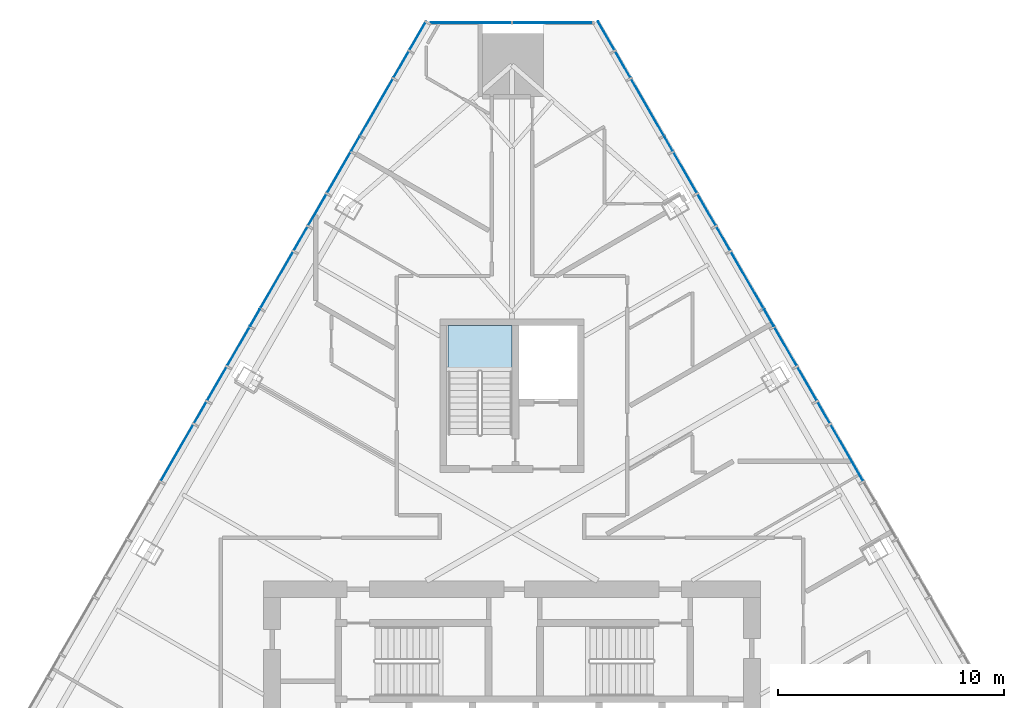
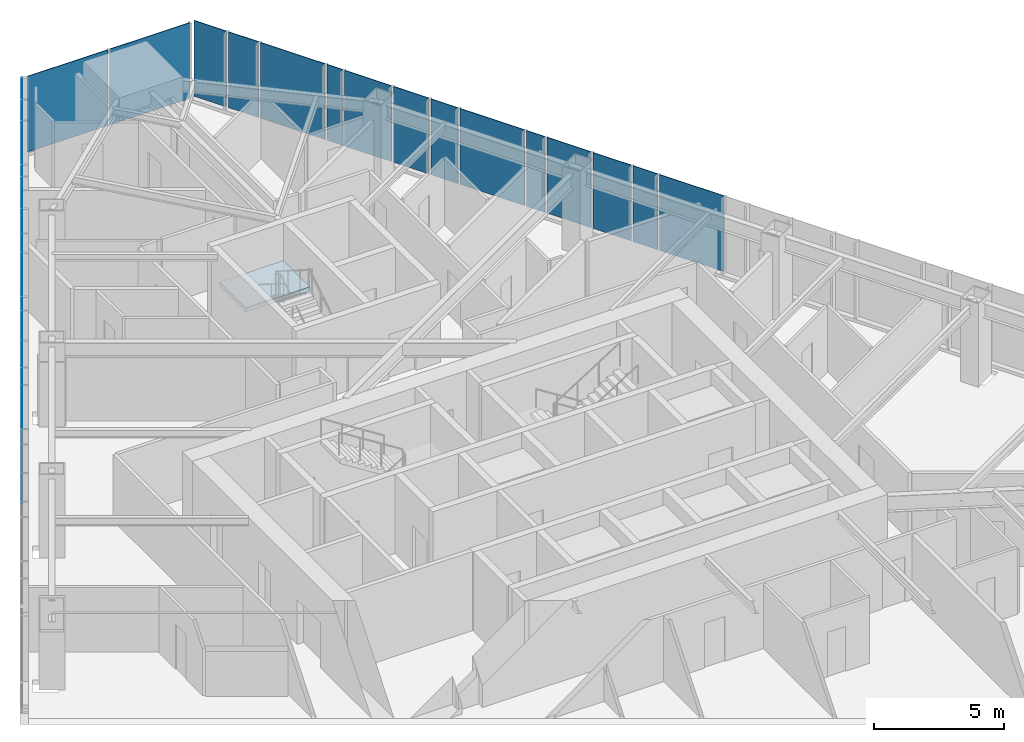
# One storey, part 12 of 19: 29 plates, 1 slab, 4 elements without a shape of their own.
"""IFC4 building model written with IfcOpenShell, lengths in metres."""

from ifc_helpers import new_model, si_unit, direction, frame, origin, place, context, subcontext, project, spatial, polyline, outline, extrude, material, layer, layer_set, type_object, element, aggregate, save


model = new_model("IFC4")

# Units and contexts
model_context = context("Model", 3, precision=1e-05, world=origin(), true_north=direction((0.0, 1.0)))
body_context = subcontext(model_context, "Body", "Model", "MODEL_VIEW")
ifc_project = project(units=[si_unit("LENGTHUNIT", "METRE"), si_unit("AREAUNIT", "SQUARE_METRE"), si_unit("VOLUMEUNIT", "CUBIC_METRE"), si_unit("PLANEANGLEUNIT", "RADIAN"), si_unit("MASSUNIT", "GRAM", prefix="KILO")], contexts=[model_context])

# Site, building, storey
site_placement = place(None, origin())
site = spatial("IfcSite", under=ifc_project, at=site_placement, CompositionType="ELEMENT")
building_placement = place(site_placement, origin())
building = spatial("IfcBuilding", under=site, at=building_placement, Name="Firuza Gate Tower and Library", CompositionType="ELEMENT")
storey_placement = place(building_placement, frame((0.0, 0.0, 179.199951171875)))
storey = spatial("IfcBuildingStorey", under=building, at=storey_placement, Name="L41", CompositionType="ELEMENT", Elevation=179.199951171875)

# Curtain wall, plates
ifc_material_1 = material(Name="Aluminium 6063-T6", Category="aluminium")
ifc_layer_1 = layer(ifc_material_1, 0.14990234375)
ifc_layer_set_1 = layer_set([ifc_layer_1], Name="Corner curtain wall, chamfers")
curtain_wall_type_1 = type_object("IfcCurtainWallType", Name="Corner curtain wall, chamfers", PredefinedType="NOTDEFINED", material=ifc_layer_set_1)
placement = place(storey_placement, origin())
curtain_wall_1 = element("IfcCurtainWall", 1, at=placement, inside=storey, type_object=curtain_wall_type_1, Name="CW4 L41 N corner", PredefinedType="NOTDEFINED")
ifc_material_2 = material(Name="Fritted glass", Category="glass")
ifc_layer_2 = layer(ifc_material_2, 0.030029296875)
ifc_layer_set_2 = layer_set([ifc_layer_2], Name="Fritted glass unit, corners")
plate_type_1 = type_object("IfcPlateType", Name="Fritted glass unit, corners", PredefinedType="CURTAIN_PANEL", material=ifc_layer_set_2)
plate_1_placement = place(storey_placement, frame((78.603271484375, 107.735107421875, 0.150146484375), z_axis=(0.0, 1.0, 0.0), x_axis=(-1.0, 0.0, 0.0)))
plate_1 = element("IfcPlate", 2, at=plate_1_placement, type_object=plate_type_1, Name="Glass unit", PredefinedType="CURTAIN_PANEL", context=body_context, shape_type="SweptSolid", body=[
    extrude(outline(polyline([(0.0, 0.0), (3.563232421875, 0.0), (3.563232421875, 3.5498046875), (0.0, 3.5498046875), (0.0, 0.0)])), origin(), (0.0, 0.0, -1.0), 0.030029296875),
])
plate_2_placement = place(storey_placement, frame((74.9599609375, 107.735107421875, 0.150146484375), z_axis=(0.0, 1.0, 0.0), x_axis=(-1.0, 0.0, 0.0)))
plate_2 = element("IfcPlate", 3, at=plate_2_placement, type_object=plate_type_1, Name="Glass unit", PredefinedType="CURTAIN_PANEL", context=body_context, shape_type="SweptSolid", body=[
    extrude(outline(polyline([(0.0, 0.0), (3.563232421875, 0.0), (3.563232421875, 3.5498046875), (0.0, 3.5498046875), (0.0, 0.0)])), origin(), (0.0, 0.0, -1.0), 0.030029296875),
])
aggregate(curtain_wall_1, [plate_1, plate_2])

ifc_material_3 = material(Name="Aluminium 6063-T6", Category="aluminium")
ifc_layer_3 = layer(ifc_material_3, 0.14990234375)
ifc_layer_set_3 = layer_set([ifc_layer_3], Name="Unitised curtain wall, hotel")
curtain_wall_type_2 = type_object("IfcCurtainWallType", Name="Unitised curtain wall, hotel", PredefinedType="NOTDEFINED", material=ifc_layer_set_3)
curtain_wall_2 = element("IfcCurtainWall", 4, at=placement, inside=storey, type_object=curtain_wall_type_2, Name="CW2 L41 E face", PredefinedType="NOTDEFINED")
ifc_material_4 = material(Name="Fritted glass", Category="glass")
ifc_layer_4 = layer(ifc_material_4, 0.030029296875)
ifc_layer_set_4 = layer_set([ifc_layer_4], Name="Fritted glass unit, hotel")
plate_type_2 = type_object("IfcPlateType", Name="Fritted glass unit, hotel", PredefinedType="CURTAIN_PANEL", material=ifc_layer_set_4)
plate_3_placement = place(storey_placement, frame((88.513427734375, 90.994873046875, 0.150146484375), z_axis=(0.866011310981, 0.500024408658, 0.0), x_axis=(-0.500024408658, 0.866011310981, 0.0)))
plate_3 = element("IfcPlate", 5, at=plate_3_placement, type_object=plate_type_2, Name="Glass unit", PredefinedType="CURTAIN_PANEL", context=body_context, shape_type="SweptSolid", body=[
    extrude(outline(polyline([(0.0, 0.0), (1.703041862068479, 0.0), (1.703041862068479, 3.5498046875), (0.0, 3.5498046875), (0.0, 0.0)])), origin(), (0.0, 0.0, -1.0), 0.030029296875),
])
plate_4_placement = place(storey_placement, frame((87.621826171875, 92.5390625, 0.150146484375), z_axis=(0.866031321059, 0.49998975084, 0.0), x_axis=(-0.49998975084, 0.866031321059, 0.0)))
plate_4 = element("IfcPlate", 6, at=plate_4_placement, type_object=plate_type_2, Name="Glass unit", PredefinedType="CURTAIN_PANEL", context=body_context, shape_type="SweptSolid", body=[
    extrude(outline(polyline([(0.0, 0.0), (1.9502352890478898, 0.0), (1.9502352890478898, 3.5498046875), (0.0, 3.5498046875), (0.0, 0.0)])), origin(), (0.0, 0.0, -1.0), 0.030029296875),
])
plate_5_placement = place(storey_placement, frame((84.032470703125, 98.756103515625, 0.150146484375), z_axis=(0.86597962928, 0.500079275388, 0.0), x_axis=(-0.500079275388, 0.86597962928, 0.0)))
plate_5 = element("IfcPlate", 7, at=plate_5_placement, type_object=plate_type_2, Name="Glass unit", PredefinedType="CURTAIN_PANEL", context=body_context, shape_type="SweptSolid", body=[
    extrude(outline(polyline([(0.0, 0.0), (1.579339438258076, 0.0), (1.579339438258076, 3.549804687500001), (0.0, 3.549804687500001), (0.0, 0.0)])), origin(), (0.0, 0.0, -1.0), 0.030029296875),
])
plate_6_placement = place(storey_placement, frame((83.20263671875, 100.193115234375, 0.150146484375), z_axis=(0.866054249832, 0.499950033851, 0.0), x_axis=(-0.499950033851, 0.866054249832, 0.0)))
plate_6 = element("IfcPlate", 8, at=plate_6_placement, type_object=plate_type_2, Name="Glass unit", PredefinedType="CURTAIN_PANEL", context=body_context, shape_type="SweptSolid", body=[
    extrude(outline(polyline([(0.0, 0.0), (2.073937722114395, 0.0), (2.073937722114395, 3.5498046875), (0.0, 3.5498046875), (0.0, 0.0)])), origin(), (0.0, 0.0, -1.0), 0.030029296875),
])
plate_7_placement = place(storey_placement, frame((79.551513671875, 106.517333984375, 0.150146484375), z_axis=(0.865984503571, 0.500070834557, 0.0), x_axis=(-0.500070834557, 0.865984503571, 0.0)))
plate_7 = element("IfcPlate", 9, at=plate_7_placement, type_object=plate_type_2, Name="Glass unit", PredefinedType="CURTAIN_PANEL", context=body_context, shape_type="SweptSolid", body=[
    extrude(outline(polyline([(0.0, 0.0), (1.4558484387428403, 0.0), (1.4558484387428403, 3.5498046875), (0.0, 3.5498046875), (0.0, 0.0)])), origin(), (0.0, 0.0, -1.0), 0.030029296875),
])

curtain_wall_3 = element("IfcCurtainWall", 10, at=placement, inside=storey, type_object=curtain_wall_type_2, Name="CW2 L41 W face", PredefinedType="NOTDEFINED")
plate_8_placement = place(storey_placement, frame((71.176513671875, 107.778076171875, 0.150146484375), z_axis=(-0.865984503571, 0.500070834557, 0.0), x_axis=(-0.500070834557, -0.865984503571, 0.0)))
plate_8 = element("IfcPlate", 11, at=plate_8_placement, type_object=plate_type_2, Name="Glass unit", PredefinedType="CURTAIN_PANEL", context=body_context, shape_type="SweptSolid", body=[
    extrude(outline(polyline([(0.0, 0.0), (1.4558484387428403, 0.0), (1.4558484387428403, 3.5498046875), (0.0, 3.5498046875), (0.0, 0.0)])), origin(), (0.0, 0.0, -1.0), 0.030029296875),
])
plate_9_placement = place(storey_placement, frame((68.23046875, 102.67529296875, 0.150146484375), z_axis=(-0.866022459948, 0.500005098839, 0.0), x_axis=(-0.500005098839, -0.866022459948, 0.0)))
plate_9 = element("IfcPlate", 12, at=plate_9_placement, type_object=plate_type_2, Name="Glass unit", PredefinedType="CURTAIN_PANEL", context=body_context, shape_type="SweptSolid", body=[
    extrude(outline(polyline([(0.0, 0.0), (2.8661817091015296, 0.0), (2.8661817091015296, 1.73486328125), (0.0, 1.73486328125), (0.0, 0.0)])), origin(), (0.0, 0.0, -1.0), 0.030029296875),
])
plate_10_placement = place(storey_placement, frame((67.834228515625, 101.9892578125, 1.965087890625), z_axis=(-0.866054249832, 0.499950033851, 0.0), x_axis=(-0.499950033851, -0.866054249832, 0.0)))
plate_10 = element("IfcPlate", 13, at=plate_10_placement, type_object=plate_type_2, Name="Glass unit", PredefinedType="CURTAIN_PANEL", context=body_context, shape_type="SweptSolid", body=[
    extrude(outline(polyline([(0.0, 0.0), (2.073937722114395, 0.0), (2.073937722114395, 1.73486328125), (0.0, 1.73486328125), (0.0, 0.0)])), origin(), (0.0, 0.0, -1.0), 0.030029296875),
])
plate_11_placement = place(storey_placement, frame((66.75732421875, 100.123779296875, 0.150146484375), z_axis=(-0.86597962928, 0.500079275388, 0.0), x_axis=(-0.500079275388, -0.86597962928, 0.0)))
plate_11 = element("IfcPlate", 14, at=plate_11_placement, type_object=plate_type_2, Name="Glass unit", PredefinedType="CURTAIN_PANEL", context=body_context, shape_type="SweptSolid", body=[
    extrude(outline(polyline([(0.0, 0.0), (1.579339438258076, 0.0), (1.579339438258076, 3.549804687500001), (0.0, 3.549804687500001), (0.0, 0.0)])), origin(), (0.0, 0.0, -1.0), 0.030029296875),
])
plate_12_placement = place(storey_placement, frame((63.353271484375, 94.22802734375, 0.150146484375), z_axis=(-0.866031321059, 0.49998975084, 0.0), x_axis=(-0.49998975084, -0.866031321059, 0.0)))
plate_12 = element("IfcPlate", 15, at=plate_12_placement, type_object=plate_type_2, Name="Glass unit", PredefinedType="CURTAIN_PANEL", context=body_context, shape_type="SweptSolid", body=[
    extrude(outline(polyline([(0.0, 0.0), (1.9502352890478898, 0.0), (1.9502352890478898, 3.5498046875), (0.0, 3.5498046875), (0.0, 0.0)])), origin(), (0.0, 0.0, -1.0), 0.030029296875),
])
plate_13_placement = place(storey_placement, frame((62.338134765625, 92.4697265625, 0.150146484375), z_axis=(-0.866011310981, 0.500024408658, 0.0), x_axis=(-0.500024408658, -0.866011310981, 0.0)))
plate_13 = element("IfcPlate", 16, at=plate_13_placement, type_object=plate_type_2, Name="Glass unit", PredefinedType="CURTAIN_PANEL", context=body_context, shape_type="SweptSolid", body=[
    extrude(outline(polyline([(0.0, 0.0), (1.703041862068479, 0.0), (1.703041862068479, 3.5498046875), (0.0, 3.5498046875), (0.0, 0.0)])), origin(), (0.0, 0.0, -1.0), 0.030029296875),
])

# Plate
ifc_material_5 = material(Name="Glazed ceramic tile")
ifc_layer_5 = layer(ifc_material_5, 0.030029296875)
ifc_layer_set_5 = layer_set([ifc_layer_5], Name="Opaque ceramic panel, hotel")
plate_type_3 = type_object("IfcPlateType", Name="Opaque ceramic panel, hotel", PredefinedType="CURTAIN_PANEL", material=ifc_layer_set_5)
plate_14_placement = place(storey_placement, frame((90.56787109375, 87.436279296875, 0.150146484375), z_axis=(0.866001162221, 0.500041985268, 0.0), x_axis=(-0.500041985268, 0.866001162221, 0.0)))
plate_14 = element("IfcPlate", 17, at=plate_14_placement, type_object=plate_type_3, Name="Opaque ceramic panel", PredefinedType="CURTAIN_PANEL", context=body_context, shape_type="SweptSolid", body=[
    extrude(outline(polyline([(0.0, 0.0), (2.865970280436618, 0.0), (2.865970280436618, 3.5498046875), (0.0, 3.5498046875), (0.0, 0.0)])), origin(), (0.0, 0.0, -1.0), 0.030029296875),
])

plate_15_placement = place(storey_placement, frame((89.094970703125, 89.987548828125, 0.150146484375), z_axis=(0.86604294664, 0.499969613651, 0.0), x_axis=(-0.499969613651, 0.86604294664, 0.0)))
plate_15 = element("IfcPlate", 18, at=plate_15_placement, type_object=plate_type_3, Name="Opaque ceramic panel", PredefinedType="CURTAIN_PANEL", context=body_context, shape_type="SweptSolid", body=[
    extrude(outline(polyline([(0.0, 0.0), (1.0830736338062792, 0.0), (1.0830736338062792, 3.5498046875), (0.0, 3.5498046875), (0.0, 0.0)])), origin(), (0.0, 0.0, -1.0), 0.030029296875),
])

plate_16_placement = place(storey_placement, frame((86.606689453125, 94.29736328125, 0.150146484375), z_axis=(0.865932559475, 0.500160776593, 0.0), x_axis=(-0.500160776593, 0.865932559475, 0.0)))
plate_16 = element("IfcPlate", 19, at=plate_16_placement, type_object=plate_type_3, Name="Opaque ceramic panel", PredefinedType="CURTAIN_PANEL", context=body_context, shape_type="SweptSolid", body=[
    extrude(outline(polyline([(0.0, 0.0), (0.8356687880393899, 0.0), (0.8356687880393899, 3.5498046875), (0.0, 3.5498046875), (0.0, 0.0)])), origin(), (0.0, 0.0, -1.0), 0.030029296875),
])

plate_17_placement = place(storey_placement, frame((86.148681640625, 95.09033203125, 0.150146484375), z_axis=(0.866059343325, 0.499941210384, 0.0), x_axis=(-0.499941210384, 0.866059343325, 0.0)))
plate_17 = element("IfcPlate", 20, at=plate_17_placement, type_object=plate_type_3, Name="Opaque ceramic panel", PredefinedType="CURTAIN_PANEL", context=body_context, shape_type="SweptSolid", body=[
    extrude(outline(polyline([(0.0, 0.0), (2.8660596453429132, 0.0), (2.8660596453429132, 3.5498046875), (0.0, 3.5498046875), (0.0, 0.0)])), origin(), (0.0, 0.0, -1.0), 0.030029296875),
])

plate_18_placement = place(storey_placement, frame((84.67578125, 97.641845703125, 0.150146484375), z_axis=(0.866030586491, 0.499991023182, 0.0), x_axis=(-0.499991023182, 0.866030586491, 0.0)))
plate_18 = element("IfcPlate", 21, at=plate_18_placement, type_object=plate_type_3, Name="Opaque ceramic panel", PredefinedType="CURTAIN_PANEL", context=body_context, shape_type="SweptSolid", body=[
    extrude(outline(polyline([(0.0, 0.0), (1.2065646309723868, 0.0), (1.2065646309723868, 3.5498046875), (0.0, 3.5498046875), (0.0, 0.0)])), origin(), (0.0, 0.0, -1.0), 0.030029296875),
])

plate_19_placement = place(storey_placement, frame((82.125732421875, 102.05859375, 0.150146484375), z_axis=(0.865934362776, 0.500157654509, 0.0), x_axis=(-0.500157654509, 0.865934362776, 0.0)))
plate_19 = element("IfcPlate", 22, at=plate_19_placement, type_object=plate_type_3, Name="Opaque ceramic panel", PredefinedType="CURTAIN_PANEL", context=body_context, shape_type="SweptSolid", body=[
    extrude(outline(polyline([(0.0, 0.0), (0.7121777876710167, 0.0), (0.7121777876710167, 3.5498046875), (0.0, 3.5498046875), (0.0, 0.0)])), origin(), (0.0, 0.0, -1.0), 0.030029296875),
])

plate_20_placement = place(storey_placement, frame((81.7294921875, 102.74462890625, 0.150146484375), z_axis=(0.866038050133, 0.499978095242, 0.0), x_axis=(-0.499978095242, 0.866038050133, 0.0)))
plate_20 = element("IfcPlate", 23, at=plate_20_placement, type_object=plate_type_3, Name="Opaque ceramic panel", PredefinedType="CURTAIN_PANEL", context=body_context, shape_type="SweptSolid", body=[
    extrude(outline(polyline([(0.0, 0.0), (2.865848207672718, 0.0), (2.865848207672718, 3.5498046875), (0.0, 3.5498046875), (0.0, 0.0)])), origin(), (0.0, 0.0, -1.0), 0.030029296875),
])

plate_21_placement = place(storey_placement, frame((80.256591796875, 105.2958984375, 0.150146484375), z_axis=(0.865986935059, 0.500066623869, 0.0), x_axis=(-0.500066623869, 0.865986935059, 0.0)))
plate_21 = element("IfcPlate", 24, at=plate_21_placement, type_object=plate_type_3, Name="Opaque ceramic panel", PredefinedType="CURTAIN_PANEL", context=body_context, shape_type="SweptSolid", body=[
    extrude(outline(polyline([(0.0, 0.0), (1.3303891349083876, 0.0), (1.3303891349083876, 3.549804687500001), (0.0, 3.549804687500001), (0.0, 0.0)])), origin(), (0.0, 0.0, -1.0), 0.030029296875),
])

aggregate(curtain_wall_2, [plate_14, plate_15, plate_3, plate_4, plate_16, plate_17, plate_18, plate_5, plate_6, plate_19, plate_20, plate_21, plate_7])

plate_22_placement = place(storey_placement, frame((70.40869140625, 106.447998046875, 0.150146484375), z_axis=(-0.865986935059, 0.500066623869, 0.0), x_axis=(-0.500066623869, -0.865986935059, 0.0)))
plate_22 = element("IfcPlate", 25, at=plate_22_placement, type_object=plate_type_3, Name="Opaque ceramic panel", PredefinedType="CURTAIN_PANEL", context=body_context, shape_type="SweptSolid", body=[
    extrude(outline(polyline([(0.0, 0.0), (1.3303891349083876, 0.0), (1.3303891349083876, 3.549804687500001), (0.0, 3.549804687500001), (0.0, 0.0)])), origin(), (0.0, 0.0, -1.0), 0.030029296875),
])

plate_23_placement = place(storey_placement, frame((69.703369140625, 105.2265625, 0.150146484375), z_axis=(-0.866038050133, 0.499978095242, 0.0), x_axis=(-0.499978095242, -0.866038050133, 0.0)))
plate_23 = element("IfcPlate", 26, at=plate_23_placement, type_object=plate_type_3, Name="Opaque ceramic panel", PredefinedType="CURTAIN_PANEL", context=body_context, shape_type="SweptSolid", body=[
    extrude(outline(polyline([(0.0, 0.0), (2.865848207672718, 0.0), (2.865848207672718, 3.5498046875), (0.0, 3.5498046875), (0.0, 0.0)])), origin(), (0.0, 0.0, -1.0), 0.030029296875),
])

plate_24_placement = place(storey_placement, frame((68.23046875, 102.67529296875, 1.965087890625), z_axis=(-0.865934362776, 0.500157654509, 0.0), x_axis=(-0.500157654509, -0.865934362776, 0.0)))
plate_24 = element("IfcPlate", 27, at=plate_24_placement, type_object=plate_type_3, Name="Opaque ceramic panel", PredefinedType="CURTAIN_PANEL", context=body_context, shape_type="SweptSolid", body=[
    extrude(outline(polyline([(0.0, 0.0), (0.7121777876710167, 0.0), (0.7121777876710167, 1.73486328125), (0.0, 1.73486328125), (0.0, 0.0)])), origin(), (0.0, 0.0, -1.0), 0.030029296875),
])

plate_25_placement = place(storey_placement, frame((65.927490234375, 98.686767578125, 0.150146484375), z_axis=(-0.866030586491, 0.499991023182, 0.0), x_axis=(-0.499991023182, -0.866030586491, 0.0)))
plate_25 = element("IfcPlate", 28, at=plate_25_placement, type_object=plate_type_3, Name="Opaque ceramic panel", PredefinedType="CURTAIN_PANEL", context=body_context, shape_type="SweptSolid", body=[
    extrude(outline(polyline([(0.0, 0.0), (1.2065646309723868, 0.0), (1.2065646309723868, 3.5498046875), (0.0, 3.5498046875), (0.0, 0.0)])), origin(), (0.0, 0.0, -1.0), 0.030029296875),
])

plate_26_placement = place(storey_placement, frame((65.2841796875, 97.572509765625, 0.150146484375), z_axis=(-0.866059343325, 0.499941210384, 0.0), x_axis=(-0.499941210384, -0.866059343325, 0.0)))
plate_26 = element("IfcPlate", 29, at=plate_26_placement, type_object=plate_type_3, Name="Opaque ceramic panel", PredefinedType="CURTAIN_PANEL", context=body_context, shape_type="SweptSolid", body=[
    extrude(outline(polyline([(0.0, 0.0), (2.8660596453429132, 0.0), (2.8660596453429132, 3.5498046875), (0.0, 3.5498046875), (0.0, 0.0)])), origin(), (0.0, 0.0, -1.0), 0.030029296875),
])

plate_27_placement = place(storey_placement, frame((63.811279296875, 95.02099609375, 0.150146484375), z_axis=(-0.865932559475, 0.500160776593, 0.0), x_axis=(-0.500160776593, -0.865932559475, 0.0)))
plate_27 = element("IfcPlate", 30, at=plate_27_placement, type_object=plate_type_3, Name="Opaque ceramic panel", PredefinedType="CURTAIN_PANEL", context=body_context, shape_type="SweptSolid", body=[
    extrude(outline(polyline([(0.0, 0.0), (0.8356687880393899, 0.0), (0.8356687880393899, 3.5498046875), (0.0, 3.5498046875), (0.0, 0.0)])), origin(), (0.0, 0.0, -1.0), 0.030029296875),
])

plate_28_placement = place(storey_placement, frame((61.446533203125, 90.925537109375, 0.150146484375), z_axis=(-0.86604294664, 0.499969613651, 0.0), x_axis=(-0.499969613651, -0.86604294664, 0.0)))
plate_28 = element("IfcPlate", 31, at=plate_28_placement, type_object=plate_type_3, Name="Opaque ceramic panel", PredefinedType="CURTAIN_PANEL", context=body_context, shape_type="SweptSolid", body=[
    extrude(outline(polyline([(0.0, 0.0), (1.0830736338062792, 0.0), (1.0830736338062792, 3.5498046875), (0.0, 3.5498046875), (0.0, 0.0)])), origin(), (0.0, 0.0, -1.0), 0.030029296875),
])

plate_29_placement = place(storey_placement, frame((60.865234375, 89.918212890625, 0.150146484375), z_axis=(-0.866001162221, 0.500041985268, 0.0), x_axis=(-0.500041985268, -0.866001162221, 0.0)))
plate_29 = element("IfcPlate", 32, at=plate_29_placement, type_object=plate_type_3, Name="Opaque ceramic panel", PredefinedType="CURTAIN_PANEL", context=body_context, shape_type="SweptSolid", body=[
    extrude(outline(polyline([(0.0, 0.0), (2.865970280436618, 0.0), (2.865970280436618, 3.5498046875), (0.0, 3.5498046875), (0.0, 0.0)])), origin(), (0.0, 0.0, -1.0), 0.030029296875),
])

aggregate(curtain_wall_3, [plate_8, plate_22, plate_23, plate_9, plate_24, plate_10, plate_11, plate_25, plate_26, plate_27, plate_12, plate_13, plate_28, plate_29])

# Stair, slab
ifc_material_6 = material(Name="Concrete C35/45", Category="concrete")
stair_type = type_object("IfcStairType", Name="Exit stair ST16", PredefinedType="HALF_TURN_STAIR", material=ifc_material_6)
stair = element("IfcStair", 33, at=placement, inside=storey, type_object=stair_type, Name="L41 Stair ST3", PredefinedType="HALF_TURN_STAIR")
ifc_material_7 = material(Name="Concrete C35/45", Category="concrete")
ifc_layer_6 = layer(ifc_material_7, 0.199951171875)
ifc_layer_set_6 = layer_set([ifc_layer_6], Name="Stair landing 200")
slab_type = type_object("IfcSlabType", Name="Stair landing 200", PredefinedType="LANDING", material=ifc_layer_set_6)
slab_placement = place(storey_placement, frame((0.0, 0.0, 1.75)))
slab = element("IfcSlab", 34, at=slab_placement, type_object=slab_type, Name="ST3 landing 1", PredefinedType="LANDING", context=body_context, shape_type="SweptSolid", body=[
    extrude(outline(polyline([(75.0, 92.27001953125), (75.0, 94.300048828125), (72.159912109375, 94.300048828125), (72.159912109375, 92.27001953125), (75.0, 92.27001953125)])), origin(), (0.0, 0.0, 1.0), 0.199951171875),
])
aggregate(stair, [slab])

save(model, "model.ifc")
